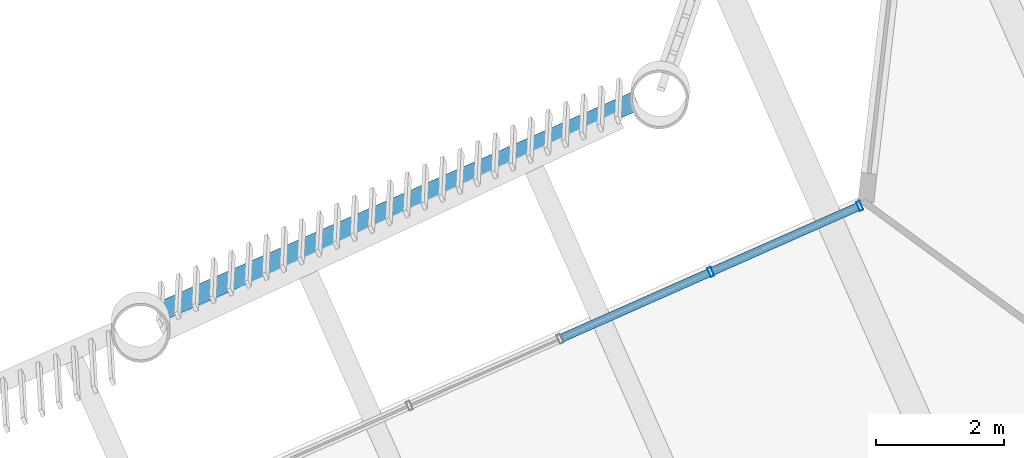
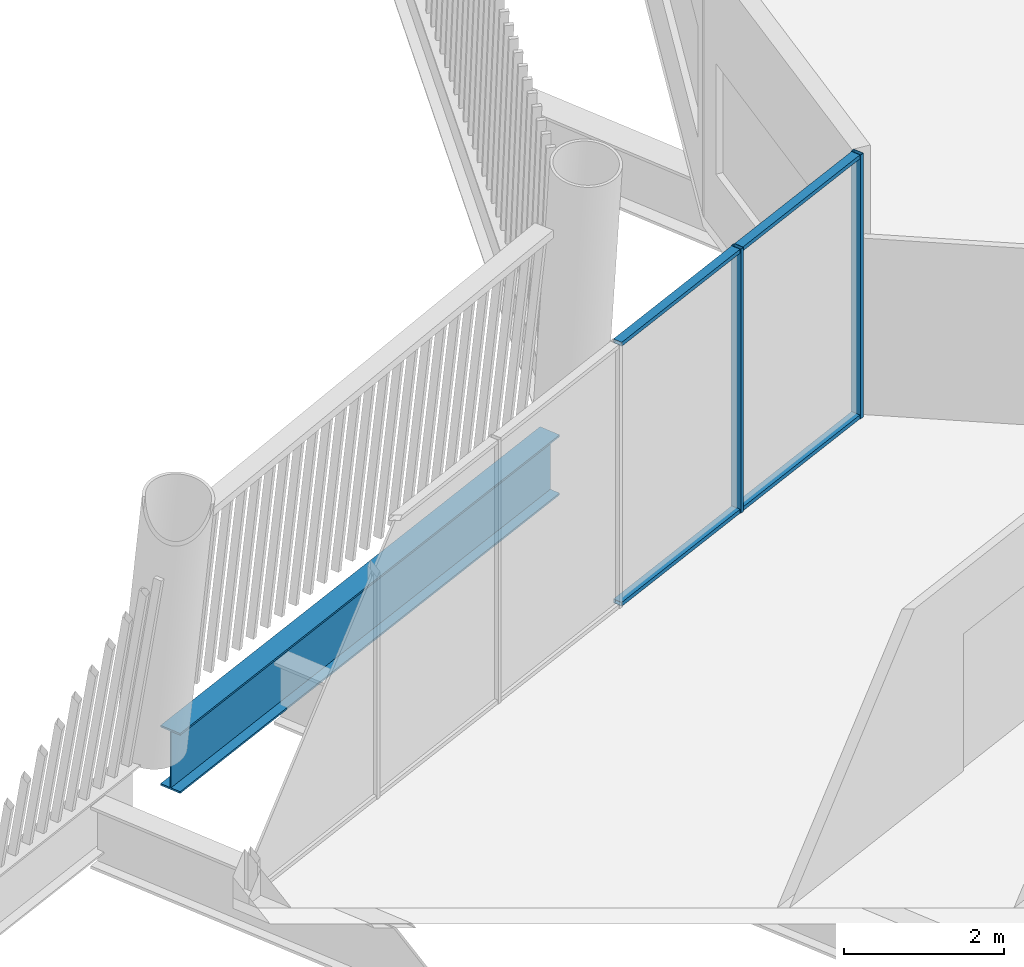
# One storey, part 13 of 28: 6 members, 1 beam, 1 element without a shape of its own.
"""IFC4 building model written with IfcOpenShell, lengths in metres."""

from ifc_helpers import new_model, si_unit, direction, frame, origin, origin_2d, place, context, subcontext, project, spatial, hollow_rectangle, i_section, extrude, material, layer, layer_set, material_profile, profile_set, type_object, element, aggregate, save


model = new_model("IFC4")

# Units and contexts
model_context = context("Model", 3, precision=1e-05, world=origin(), true_north=direction((0.0, 1.0)))
body_context = subcontext(model_context, "Body", "Model", "MODEL_VIEW")
ifc_project = project(units=[si_unit("LENGTHUNIT", "METRE"), si_unit("AREAUNIT", "SQUARE_METRE"), si_unit("VOLUMEUNIT", "CUBIC_METRE"), si_unit("PLANEANGLEUNIT", "RADIAN"), si_unit("MASSUNIT", "GRAM", prefix="KILO")], contexts=[model_context])

# Site, building, storey
site_placement = place(None, origin())
site = spatial("IfcSite", under=ifc_project, at=site_placement, CompositionType="ELEMENT")
building_placement = place(site_placement, origin())
building = spatial("IfcBuilding", under=site, at=building_placement, Name="Tarsis Ring Headquarters", CompositionType="ELEMENT")
storey_placement = place(building_placement, frame((0.0, 0.0, 381.800048828125)))
storey = spatial("IfcBuildingStorey", under=building, at=storey_placement, Name="L90", CompositionType="ELEMENT", Elevation=381.800048828125)

# Curtain wall, members
ifc_material_1 = material(Name="Aluminium curtain wall", Category="aluminium")
ifc_layer = layer(ifc_material_1, 0.14990234375)
ifc_layer_set = layer_set([ifc_layer], Name="Curtain wall tower unit")
curtain_wall_type = type_object("IfcCurtainWallType", Name="Curtain wall tower unit", PredefinedType="NOTDEFINED", material=ifc_layer_set)
curtain_wall_placement = place(storey_placement, origin())
curtain_wall = element("IfcCurtainWall", 1, at=curtain_wall_placement, inside=storey, type_object=curtain_wall_type, Name="Curtain wall L90-31", PredefinedType="NOTDEFINED")
ifc_material_2 = material(Name="Aluminium mullion", Category="aluminium")
ifc_material_profile_1 = material_profile(ifc_material_2, hollow_rectangle(XDim=0.14990234375, YDim=0.06005859375, WallThickness=0.0048828125, at=origin_2d()), Name="RHS 150x60x5")
ifc_profile_set_1 = profile_set([ifc_material_profile_1], Name="Aluminium mullion")
member_type_1 = type_object("IfcMemberType", Name="Curtain wall mullion tower unit RHS 150x60x5", PredefinedType="MULLION", material=ifc_profile_set_1)
member_1_placement = place(storey_placement, frame((-25.728515625, 1.57861328125, 0.0), z_axis=(0.0, 0.0, 1.0), x_axis=(0.405460671558, -0.914112489697, 0.0)))
member_1 = element("IfcMember", 2, at=member_1_placement, type_object=member_type_1, Name="CW-T mullion 1", PredefinedType="MULLION", context=body_context, shape_type="SweptSolid", body=[
    extrude(hollow_rectangle(XDim=0.14990234375, YDim=0.06005859375, WallThickness=0.0048828125, at=origin_2d()), origin(), (0.0, 0.0, 1.0), 4.0400390625),
])
member_2_placement = place(storey_placement, frame((-28.059814453125, 0.544677734375, 0.0), z_axis=(0.0, 0.0, 1.0), x_axis=(0.405460671558, -0.914112489697, 0.0)))
member_2 = element("IfcMember", 3, at=member_2_placement, type_object=member_type_1, Name="CW-T mullion 2", PredefinedType="MULLION", context=body_context, shape_type="SweptSolid", body=[
    extrude(hollow_rectangle(XDim=0.14990234375, YDim=0.06005859375, WallThickness=0.0048828125, at=origin_2d()), origin(), (0.0, 0.0, 1.0), 4.0400390625),
])
ifc_material_3 = material(Name="Aluminium transom", Category="aluminium")
ifc_material_profile_2 = material_profile(ifc_material_3, hollow_rectangle(XDim=0.1298828125, YDim=0.06005859375, WallThickness=0.0048828125, at=origin_2d()), Name="RHS 130x60x5")
ifc_profile_set_2 = profile_set([ifc_material_profile_2], Name="Aluminium transom")
member_type_2 = type_object("IfcMemberType", Name="Curtain wall transom tower unit RHS 130x60x5", PredefinedType="USERDEFINED", material=ifc_profile_set_2)
member_3_placement = place(storey_placement, frame((-25.755859375, 1.56640625, 0.030029296875), z_axis=(-0.914154841296, -0.405365176274, 0.0), x_axis=(0.405365176274, -0.914154841296, 0.0)))
member_3 = element("IfcMember", 4, at=member_3_placement, type_object=member_type_2, Name="CW-T transom 1.1", ObjectType="TRANSOM", PredefinedType="USERDEFINED", context=body_context, shape_type="SweptSolid", body=[
    extrude(hollow_rectangle(XDim=0.1298828125, YDim=0.06005859375, WallThickness=0.0048828125, at=origin_2d()), origin(), (0.0, 0.0, 1.0), 2.490478515625),
])
member_4_placement = place(storey_placement, frame((-25.755859375, 1.56640625, 4.010009765625), z_axis=(-0.914154841296, -0.405365176274, 0.0), x_axis=(0.405365176274, -0.914154841296, 0.0)))
member_4 = element("IfcMember", 5, at=member_4_placement, type_object=member_type_2, Name="CW-T transom 1.2", ObjectType="TRANSOM", PredefinedType="USERDEFINED", context=body_context, shape_type="SweptSolid", body=[
    extrude(hollow_rectangle(XDim=0.1298828125, YDim=0.06005859375, WallThickness=0.0048828125, at=origin_2d()), origin(), (0.0, 0.0, 1.0), 2.490478515625),
])
member_5_placement = place(storey_placement, frame((-28.087158203125, 0.532470703125, 0.030029296875), z_axis=(-0.914106892022, -0.405473291301, 0.0), x_axis=(0.405473291301, -0.914106892022, 0.0)))
member_5 = element("IfcMember", 6, at=member_5_placement, type_object=member_type_2, Name="CW-T transom 2.1", ObjectType="TRANSOM", PredefinedType="USERDEFINED", context=body_context, shape_type="SweptSolid", body=[
    extrude(hollow_rectangle(XDim=0.1298828125, YDim=0.06005859375, WallThickness=0.0048828125, at=origin_2d()), origin(), (0.0, 0.0, 1.0), 2.5205078125),
])
member_6_placement = place(storey_placement, frame((-28.087158203125, 0.532470703125, 4.010009765625), z_axis=(-0.914106892022, -0.405473291301, 0.0), x_axis=(0.405473291301, -0.914106892022, 0.0)))
member_6 = element("IfcMember", 7, at=member_6_placement, type_object=member_type_2, Name="CW-T transom 2.2", ObjectType="TRANSOM", PredefinedType="USERDEFINED", context=body_context, shape_type="SweptSolid", body=[
    extrude(hollow_rectangle(XDim=0.1298828125, YDim=0.06005859375, WallThickness=0.0048828125, at=origin_2d()), origin(), (0.0, 0.0, 1.0), 2.5205078125),
])
aggregate(curtain_wall, [member_1, member_2, member_3, member_4, member_5, member_6])

# Beam
ifc_material_4 = material(Name="Structural steel S355", Category="steel")
ifc_material_profile_3 = material_profile(ifc_material_4, i_section(OverallWidth=0.3046875, OverallDepth=0.91943359375, WebThickness=0.017333984375, FlangeThickness=0.02783203125, at=origin_2d()), Name="W36x170")
ifc_profile_set_3 = profile_set([ifc_material_profile_3], Name="Structural steel S355")
beam_type = type_object("IfcBeamType", Name="XG Ring girder W36x170", PredefinedType="BEAM", material=ifc_profile_set_3)
beam_placement = place(storey_placement, frame((-29.2255859375, 3.227294921875, -0.459716796875), z_axis=(-0.914112849766, -0.405459859779, 0.0), x_axis=(0.405459859779, -0.914112849766, 0.0)))
element("IfcBeam", 8, at=beam_placement, inside=storey, type_object=beam_type, Name="Ring girder XG4", PredefinedType="BEAM", context=body_context, shape_type="SweptSolid", body=[
    extrude(i_section(OverallWidth=0.3046875, OverallDepth=0.91943359375, WebThickness=0.017333984375, FlangeThickness=0.02783203125, at=origin_2d()), origin(), (0.0, 0.0, 1.0), 8.079345703125),
])

save(model, "model.ifc")
